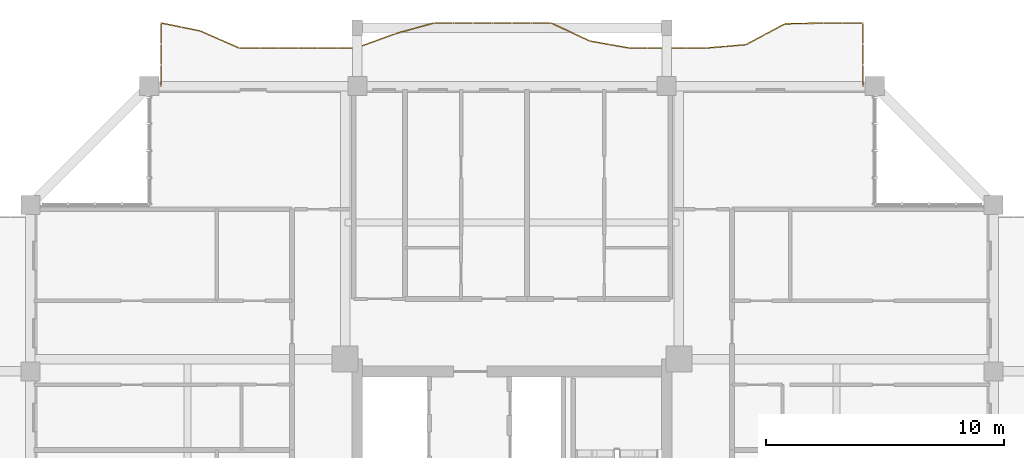
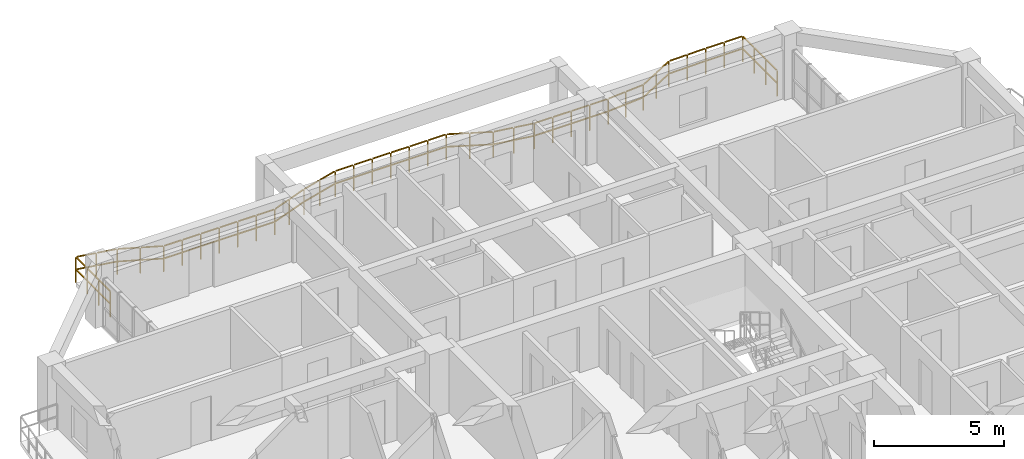
# One storey, part 22 of 22: 1 railing.
"""IFC4 building model written with IfcOpenShell, lengths in metres."""

from ifc_helpers import new_model, si_unit, direction, frame, origin, origin_2d, place, context, subcontext, project, spatial, rectangle, extrude, material, type_object, element, save


model = new_model("IFC4")

# Units and contexts
model_context = context("Model", 3, precision=1e-05, world=origin(), true_north=direction((0.0, 1.0)))
body_context = subcontext(model_context, "Body", "Model", "MODEL_VIEW")
ifc_project = project(units=[si_unit("LENGTHUNIT", "METRE"), si_unit("AREAUNIT", "SQUARE_METRE"), si_unit("VOLUMEUNIT", "CUBIC_METRE"), si_unit("PLANEANGLEUNIT", "RADIAN"), si_unit("MASSUNIT", "GRAM", prefix="KILO")], contexts=[model_context])

# Site, building, storey
site_placement = place(None, origin())
site = spatial("IfcSite", under=ifc_project, at=site_placement, CompositionType="ELEMENT")
building_placement = place(site_placement, origin())
building = spatial("IfcBuilding", under=site, at=building_placement, Name="Saelheon Loggia Tower", CompositionType="ELEMENT")
storey_placement = place(building_placement, frame((0.0, 0.0, 176.800048828125)))
storey = spatial("IfcBuildingStorey", under=building, at=storey_placement, Name="L55", CompositionType="ELEMENT", Elevation=176.800048828125)

# Railing
ifc_material = material(Name="Architectural Precast Concrete and Laminated Glass Guard", Category="concrete")
railing_type = type_object("IfcRailingType", Name="Guard_Loggia_RL_LOG", PredefinedType="BALUSTRADE", material=ifc_material)
railing_placement = place(storey_placement, frame((52.75, 48.0, 0.0)))
element("IfcRailing", 1, at=railing_placement, inside=storey, type_object=railing_type, Name="L55 North Loggia Balustrade", PredefinedType="BALUSTRADE", context=body_context, shape_type="SweptSolid", body=[
    extrude(rectangle(XDim=0.048095703125, YDim=0.048095703125, at=origin_2d()), frame((0.0, 0.033203125, 1.19580078125), z_axis=(0.0, 1.0, 0.0), x_axis=(-1.0, 0.0, 0.0)), (0.0, 0.0, 1.0), 0.81689453125),
    extrude(rectangle(XDim=0.048095703125, YDim=0.048095703125, at=origin_2d()), frame((0.0, 0.033203125, 0.60986328125), z_axis=(0.0, 1.0, 0.0), x_axis=(-1.0, 0.0, 0.0)), (0.0, 0.0, 1.0), 0.81689453125),
    extrude(rectangle(XDim=0.048095703125, YDim=0.048095703125, at=origin_2d()), frame((0.0, 0.91650390625, 1.19580078125), z_axis=(0.0, 1.0, 0.0), x_axis=(-1.0, 0.0, 0.0)), (0.0, 0.0, 1.0), 0.81689453125),
    extrude(rectangle(XDim=0.048095703125, YDim=0.048095703125, at=origin_2d()), frame((0.0, 0.91650390625, 0.60986328125), z_axis=(0.0, 1.0, 0.0), x_axis=(-1.0, 0.0, 0.0)), (0.0, 0.0, 1.0), 0.81689453125),
    extrude(rectangle(XDim=0.048095703125, YDim=0.048095703125, at=origin_2d()), frame((0.0, 1.7998046875, 1.19580078125), z_axis=(0.0, 1.0, 0.0), x_axis=(-1.0, 0.0, 0.0)), (0.0, 0.0, 1.0), 0.81689453125),
    extrude(rectangle(XDim=0.048095703125, YDim=0.048095703125, at=origin_2d()), frame((0.0, 1.7998046875, 0.60986328125), z_axis=(0.0, 1.0, 0.0), x_axis=(-1.0, 0.0, 0.0)), (0.0, 0.0, 1.0), 0.81689453125),
    extrude(rectangle(XDim=0.048095703125, YDim=0.048095703125, at=origin_2d()), frame((-0.033203125, 2.64990234375, 1.19580078125), z_axis=(-1.0, 0.0, 0.0), x_axis=(0.0, -1.0, 0.0)), (0.0, 0.0, 1.0), 0.7529296875),
    extrude(rectangle(XDim=0.048095703125, YDim=0.048095703125, at=origin_2d()), frame((-0.033203125, 2.64990234375, 0.60986328125), z_axis=(-1.0, 0.0, 0.0), x_axis=(0.0, -1.0, 0.0)), (0.0, 0.0, 1.0), 0.7529296875),
    extrude(rectangle(XDim=0.048095703125, YDim=0.048095703125, at=origin_2d()), frame((-0.852783203125, 2.64990234375, 1.19580078125), z_axis=(-1.0, 0.0, 0.0), x_axis=(0.0, -1.0, 0.0)), (0.0, 0.0, 1.0), 0.7529296875),
    extrude(rectangle(XDim=0.048095703125, YDim=0.048095703125, at=origin_2d()), frame((-0.852783203125, 2.64990234375, 0.60986328125), z_axis=(-1.0, 0.0, 0.0), x_axis=(0.0, -1.0, 0.0)), (0.0, 0.0, 1.0), 0.7529296875),
    extrude(rectangle(XDim=0.048095703125, YDim=0.048095703125, at=origin_2d()), frame((-1.672119140625, 2.649169921875, 1.19580078125), z_axis=(-0.99976680417, -0.021594843826, 0.0), x_axis=(0.021594843826, -0.99976680417, 0.0)), (0.0, 0.0, 1.0), 0.753173828125),
    extrude(rectangle(XDim=0.048095703125, YDim=0.048095703125, at=origin_2d()), frame((-1.672119140625, 2.649169921875, 0.60986328125), z_axis=(-0.99976680417, -0.021594843826, 0.0), x_axis=(0.021594843826, -0.99976680417, 0.0)), (0.0, 0.0, 1.0), 0.753173828125),
    extrude(rectangle(XDim=0.048095703125, YDim=0.048095703125, at=origin_2d()), frame((-2.49169921875, 2.631591796875, 1.19580078125), z_axis=(-0.99976680417, -0.021594843826, 0.0), x_axis=(0.021594843826, -0.99976680417, 0.0)), (0.0, 0.0, 1.0), 0.753173828125),
    extrude(rectangle(XDim=0.048095703125, YDim=0.048095703125, at=origin_2d()), frame((-2.49169921875, 2.631591796875, 0.60986328125), z_axis=(-0.99976680417, -0.021594843826, 0.0), x_axis=(0.021594843826, -0.99976680417, 0.0)), (0.0, 0.0, 1.0), 0.753173828125),
    extrude(rectangle(XDim=0.048095703125, YDim=0.048095703125, at=origin_2d()), frame((-3.30712890625, 2.598876953125, 1.19580078125), z_axis=(-0.882203745143, -0.470867871123, 0.0), x_axis=(0.470867871123, -0.882203745143, 0.0)), (0.0, 0.0, 1.0), 0.8623046875),
    extrude(rectangle(XDim=0.048095703125, YDim=0.048095703125, at=origin_2d()), frame((-3.30712890625, 2.598876953125, 0.60986328125), z_axis=(-0.882203745143, -0.470867871123, 0.0), x_axis=(0.470867871123, -0.882203745143, 0.0)), (0.0, 0.0, 1.0), 0.8623046875),
    extrude(rectangle(XDim=0.048095703125, YDim=0.048095703125, at=origin_2d()), frame((-4.126708984375, 2.161376953125, 1.19580078125), z_axis=(-0.882203745143, -0.470867871123, 0.0), x_axis=(0.470867871123, -0.882203745143, 0.0)), (0.0, 0.0, 1.0), 0.8623046875),
    extrude(rectangle(XDim=0.048095703125, YDim=0.048095703125, at=origin_2d()), frame((-4.126708984375, 2.161376953125, 0.60986328125), z_axis=(-0.882203745143, -0.470867871123, 0.0), x_axis=(0.470867871123, -0.882203745143, 0.0)), (0.0, 0.0, 1.0), 0.8623046875),
    extrude(rectangle(XDim=0.048095703125, YDim=0.048095703125, at=origin_2d()), frame((-4.949951171875, 1.73681640625, 1.19580078125), z_axis=(-0.996389463441, -0.084900159852, 0.0), x_axis=(0.084900159852, -0.996389463441, 0.0)), (0.0, 0.0, 1.0), 0.755859375),
    extrude(rectangle(XDim=0.048095703125, YDim=0.048095703125, at=origin_2d()), frame((-4.949951171875, 1.73681640625, 0.60986328125), z_axis=(-0.996389463441, -0.084900159852, 0.0), x_axis=(0.084900159852, -0.996389463441, 0.0)), (0.0, 0.0, 1.0), 0.755859375),
    extrude(rectangle(XDim=0.048095703125, YDim=0.048095703125, at=origin_2d()), frame((-5.769287109375, 1.6669921875, 1.19580078125), z_axis=(-0.996389463441, -0.084900159852, 0.0), x_axis=(0.084900159852, -0.996389463441, 0.0)), (0.0, 0.0, 1.0), 0.755859375),
    extrude(rectangle(XDim=0.048095703125, YDim=0.048095703125, at=origin_2d()), frame((-5.769287109375, 1.6669921875, 0.60986328125), z_axis=(-0.996389463441, -0.084900159852, 0.0), x_axis=(0.084900159852, -0.996389463441, 0.0)), (0.0, 0.0, 1.0), 0.755859375),
    extrude(rectangle(XDim=0.048095703125, YDim=0.048095703125, at=origin_2d()), frame((-6.5888671875, 1.60009765625, 1.19580078125), z_axis=(-1.0, 0.0, 0.0), x_axis=(0.0, -1.0, 0.0)), (0.0, 0.0, 1.0), 0.7529296875),
    extrude(rectangle(XDim=0.048095703125, YDim=0.048095703125, at=origin_2d()), frame((-6.5888671875, 1.60009765625, 0.60986328125), z_axis=(-1.0, 0.0, 0.0), x_axis=(0.0, -1.0, 0.0)), (0.0, 0.0, 1.0), 0.7529296875),
    extrude(rectangle(XDim=0.048095703125, YDim=0.048095703125, at=origin_2d()), frame((-7.408203125, 1.60009765625, 1.19580078125), z_axis=(-1.0, 0.0, 0.0), x_axis=(0.0, -1.0, 0.0)), (0.0, 0.0, 1.0), 0.7529296875),
    extrude(rectangle(XDim=0.048095703125, YDim=0.048095703125, at=origin_2d()), frame((-7.408203125, 1.60009765625, 0.60986328125), z_axis=(-1.0, 0.0, 0.0), x_axis=(0.0, -1.0, 0.0)), (0.0, 0.0, 1.0), 0.7529296875),
    extrude(rectangle(XDim=0.048095703125, YDim=0.048095703125, at=origin_2d()), frame((-8.2275390625, 1.60009765625, 1.19580078125), z_axis=(-1.0, 0.0, 0.0), x_axis=(0.0, -1.0, 0.0)), (0.0, 0.0, 1.0), 0.7529296875),
    extrude(rectangle(XDim=0.048095703125, YDim=0.048095703125, at=origin_2d()), frame((-8.2275390625, 1.60009765625, 0.60986328125), z_axis=(-1.0, 0.0, 0.0), x_axis=(0.0, -1.0, 0.0)), (0.0, 0.0, 1.0), 0.7529296875),
    extrude(rectangle(XDim=0.048095703125, YDim=0.048095703125, at=origin_2d()), frame((-9.047119140625, 1.60009765625, 1.19580078125), z_axis=(-1.0, 0.0, 0.0), x_axis=(0.0, -1.0, 0.0)), (0.0, 0.0, 1.0), 0.7529296875),
    extrude(rectangle(XDim=0.048095703125, YDim=0.048095703125, at=origin_2d()), frame((-9.047119140625, 1.60009765625, 0.60986328125), z_axis=(-1.0, 0.0, 0.0), x_axis=(0.0, -1.0, 0.0)), (0.0, 0.0, 1.0), 0.7529296875),
    extrude(rectangle(XDim=0.048095703125, YDim=0.048095703125, at=origin_2d()), frame((-9.865966796875, 1.60595703125, 1.19580078125), z_axis=(-0.98452260556, 0.175257636473, 0.0), x_axis=(-0.175257636473, -0.98452260556, 0.0)), (0.0, 0.0, 1.0), 0.765869140625),
    extrude(rectangle(XDim=0.048095703125, YDim=0.048095703125, at=origin_2d()), frame((-9.865966796875, 1.60595703125, 0.60986328125), z_axis=(-0.98452260556, 0.175257636473, 0.0), x_axis=(-0.175257636473, -0.98452260556, 0.0)), (0.0, 0.0, 1.0), 0.765869140625),
    extrude(rectangle(XDim=0.048095703125, YDim=0.048095703125, at=origin_2d()), frame((-10.685546875, 1.751708984375, 1.19580078125), z_axis=(-0.98452260556, 0.175257636473, 0.0), x_axis=(-0.175257636473, -0.98452260556, 0.0)), (0.0, 0.0, 1.0), 0.765869140625),
    extrude(rectangle(XDim=0.048095703125, YDim=0.048095703125, at=origin_2d()), frame((-10.685546875, 1.751708984375, 0.60986328125), z_axis=(-0.98452260556, 0.175257636473, 0.0), x_axis=(-0.175257636473, -0.98452260556, 0.0)), (0.0, 0.0, 1.0), 0.765869140625),
    extrude(rectangle(XDim=0.048095703125, YDim=0.048095703125, at=origin_2d()), frame((-11.50244140625, 1.90576171875, 1.19580078125), z_axis=(-0.907614806206, 0.419803958479, 0.0), x_axis=(-0.419803958479, -0.907614806206, 0.0)), (0.0, 0.0, 1.0), 0.83642578125),
    extrude(rectangle(XDim=0.048095703125, YDim=0.048095703125, at=origin_2d()), frame((-11.50244140625, 1.90576171875, 0.60986328125), z_axis=(-0.907614806206, 0.419803958479, 0.0), x_axis=(-0.419803958479, -0.907614806206, 0.0)), (0.0, 0.0, 1.0), 0.83642578125),
    extrude(rectangle(XDim=0.048095703125, YDim=0.048095703125, at=origin_2d()), frame((-12.32177734375, 2.284912109375, 1.19580078125), z_axis=(-0.907614806206, 0.419803958479, 0.0), x_axis=(-0.419803958479, -0.907614806206, 0.0)), (0.0, 0.0, 1.0), 0.83642578125),
    extrude(rectangle(XDim=0.048095703125, YDim=0.048095703125, at=origin_2d()), frame((-12.32177734375, 2.284912109375, 0.60986328125), z_axis=(-0.907614806206, 0.419803958479, 0.0), x_axis=(-0.419803958479, -0.907614806206, 0.0)), (0.0, 0.0, 1.0), 0.83642578125),
    extrude(rectangle(XDim=0.048095703125, YDim=0.048095703125, at=origin_2d()), frame((-13.144287109375, 2.64990234375, 1.19580078125), z_axis=(-1.0, 0.0, 0.0), x_axis=(0.0, -1.0, 0.0)), (0.0, 0.0, 1.0), 0.7529296875),
    extrude(rectangle(XDim=0.048095703125, YDim=0.048095703125, at=origin_2d()), frame((-13.144287109375, 2.64990234375, 0.60986328125), z_axis=(-1.0, 0.0, 0.0), x_axis=(0.0, -1.0, 0.0)), (0.0, 0.0, 1.0), 0.7529296875),
    extrude(rectangle(XDim=0.048095703125, YDim=0.048095703125, at=origin_2d()), frame((-13.9638671875, 2.64990234375, 1.19580078125), z_axis=(-1.0, 0.0, 0.0), x_axis=(0.0, -1.0, 0.0)), (0.0, 0.0, 1.0), 0.7529296875),
    extrude(rectangle(XDim=0.048095703125, YDim=0.048095703125, at=origin_2d()), frame((-13.9638671875, 2.64990234375, 0.60986328125), z_axis=(-1.0, 0.0, 0.0), x_axis=(0.0, -1.0, 0.0)), (0.0, 0.0, 1.0), 0.7529296875),
    extrude(rectangle(XDim=0.048095703125, YDim=0.048095703125, at=origin_2d()), frame((-14.783203125, 2.64990234375, 1.19580078125), z_axis=(-1.0, 0.0, 0.0), x_axis=(0.0, -1.0, 0.0)), (0.0, 0.0, 1.0), 0.7529296875),
    extrude(rectangle(XDim=0.048095703125, YDim=0.048095703125, at=origin_2d()), frame((-14.783203125, 2.64990234375, 0.60986328125), z_axis=(-1.0, 0.0, 0.0), x_axis=(0.0, -1.0, 0.0)), (0.0, 0.0, 1.0), 0.7529296875),
    extrude(rectangle(XDim=0.048095703125, YDim=0.048095703125, at=origin_2d()), frame((-15.602783203125, 2.64990234375, 1.19580078125), z_axis=(-1.0, 0.0, 0.0), x_axis=(0.0, -1.0, 0.0)), (0.0, 0.0, 1.0), 0.7529296875),
    extrude(rectangle(XDim=0.048095703125, YDim=0.048095703125, at=origin_2d()), frame((-15.602783203125, 2.64990234375, 0.60986328125), z_axis=(-1.0, 0.0, 0.0), x_axis=(0.0, -1.0, 0.0)), (0.0, 0.0, 1.0), 0.7529296875),
    extrude(rectangle(XDim=0.048095703125, YDim=0.048095703125, at=origin_2d()), frame((-16.422119140625, 2.64990234375, 1.19580078125), z_axis=(-1.0, 0.0, 0.0), x_axis=(0.0, -1.0, 0.0)), (0.0, 0.0, 1.0), 0.7529296875),
    extrude(rectangle(XDim=0.048095703125, YDim=0.048095703125, at=origin_2d()), frame((-16.422119140625, 2.64990234375, 0.60986328125), z_axis=(-1.0, 0.0, 0.0), x_axis=(0.0, -1.0, 0.0)), (0.0, 0.0, 1.0), 0.7529296875),
    extrude(rectangle(XDim=0.048095703125, YDim=0.048095703125, at=origin_2d()), frame((-17.24169921875, 2.64990234375, 1.19580078125), z_axis=(-1.0, 0.0, 0.0), x_axis=(0.0, -1.0, 0.0)), (0.0, 0.0, 1.0), 0.7529296875),
    extrude(rectangle(XDim=0.048095703125, YDim=0.048095703125, at=origin_2d()), frame((-17.24169921875, 2.64990234375, 0.60986328125), z_axis=(-1.0, 0.0, 0.0), x_axis=(0.0, -1.0, 0.0)), (0.0, 0.0, 1.0), 0.7529296875),
    extrude(rectangle(XDim=0.048095703125, YDim=0.048095703125, at=origin_2d()), frame((-18.059814453125, 2.64111328125, 1.19580078125), z_axis=(-0.963618610857, -0.267281074544, 0.0), x_axis=(0.267281074544, -0.963618610857, 0.0)), (0.0, 0.0, 1.0), 0.783935546875),
    extrude(rectangle(XDim=0.048095703125, YDim=0.048095703125, at=origin_2d()), frame((-18.059814453125, 2.64111328125, 0.60986328125), z_axis=(-0.963618610857, -0.267281074544, 0.0), x_axis=(0.267281074544, -0.963618610857, 0.0)), (0.0, 0.0, 1.0), 0.783935546875),
    extrude(rectangle(XDim=0.048095703125, YDim=0.048095703125, at=origin_2d()), frame((-18.87939453125, 2.413818359375, 1.19580078125), z_axis=(-0.963618610857, -0.267281074544, 0.0), x_axis=(0.267281074544, -0.963618610857, 0.0)), (0.0, 0.0, 1.0), 0.783935546875),
    extrude(rectangle(XDim=0.048095703125, YDim=0.048095703125, at=origin_2d()), frame((-18.87939453125, 2.413818359375, 0.60986328125), z_axis=(-0.963618610857, -0.267281074544, 0.0), x_axis=(0.267281074544, -0.963618610857, 0.0)), (0.0, 0.0, 1.0), 0.783935546875),
    extrude(rectangle(XDim=0.048095703125, YDim=0.048095703125, at=origin_2d()), frame((-19.697998046875, 2.18408203125, 1.19580078125), z_axis=(-0.939932340471, -0.341360799355, 0.0), x_axis=(0.341360799355, -0.939932340471, 0.0)), (0.0, 0.0, 1.0), 0.805419921875),
    extrude(rectangle(XDim=0.048095703125, YDim=0.048095703125, at=origin_2d()), frame((-19.697998046875, 2.18408203125, 0.60986328125), z_axis=(-0.939932340471, -0.341360799355, 0.0), x_axis=(0.341360799355, -0.939932340471, 0.0)), (0.0, 0.0, 1.0), 0.805419921875),
    extrude(rectangle(XDim=0.048095703125, YDim=0.048095703125, at=origin_2d()), frame((-20.517333984375, 1.886474609375, 1.19580078125), z_axis=(-0.939932340471, -0.341360799355, 0.0), x_axis=(0.341360799355, -0.939932340471, 0.0)), (0.0, 0.0, 1.0), 0.805419921875),
    extrude(rectangle(XDim=0.048095703125, YDim=0.048095703125, at=origin_2d()), frame((-20.517333984375, 1.886474609375, 0.60986328125), z_axis=(-0.939932340471, -0.341360799355, 0.0), x_axis=(0.341360799355, -0.939932340471, 0.0)), (0.0, 0.0, 1.0), 0.805419921875),
    extrude(rectangle(XDim=0.048095703125, YDim=0.048095703125, at=origin_2d()), frame((-21.3388671875, 1.60009765625, 1.19580078125), z_axis=(-1.0, 0.0, 0.0), x_axis=(0.0, -1.0, 0.0)), (0.0, 0.0, 1.0), 0.7529296875),
    extrude(rectangle(XDim=0.048095703125, YDim=0.048095703125, at=origin_2d()), frame((-21.3388671875, 1.60009765625, 0.60986328125), z_axis=(-1.0, 0.0, 0.0), x_axis=(0.0, -1.0, 0.0)), (0.0, 0.0, 1.0), 0.7529296875),
    extrude(rectangle(XDim=0.048095703125, YDim=0.048095703125, at=origin_2d()), frame((-22.158203125, 1.60009765625, 1.19580078125), z_axis=(-1.0, 0.0, 0.0), x_axis=(0.0, -1.0, 0.0)), (0.0, 0.0, 1.0), 0.7529296875),
    extrude(rectangle(XDim=0.048095703125, YDim=0.048095703125, at=origin_2d()), frame((-22.158203125, 1.60009765625, 0.60986328125), z_axis=(-1.0, 0.0, 0.0), x_axis=(0.0, -1.0, 0.0)), (0.0, 0.0, 1.0), 0.7529296875),
    extrude(rectangle(XDim=0.048095703125, YDim=0.048095703125, at=origin_2d()), frame((-22.9775390625, 1.60009765625, 1.19580078125), z_axis=(-1.0, 0.0, 0.0), x_axis=(0.0, -1.0, 0.0)), (0.0, 0.0, 1.0), 0.7529296875),
    extrude(rectangle(XDim=0.048095703125, YDim=0.048095703125, at=origin_2d()), frame((-22.9775390625, 1.60009765625, 0.60986328125), z_axis=(-1.0, 0.0, 0.0), x_axis=(0.0, -1.0, 0.0)), (0.0, 0.0, 1.0), 0.7529296875),
    extrude(rectangle(XDim=0.048095703125, YDim=0.048095703125, at=origin_2d()), frame((-23.797119140625, 1.60009765625, 1.19580078125), z_axis=(-1.0, 0.0, 0.0), x_axis=(0.0, -1.0, 0.0)), (0.0, 0.0, 1.0), 0.7529296875),
    extrude(rectangle(XDim=0.048095703125, YDim=0.048095703125, at=origin_2d()), frame((-23.797119140625, 1.60009765625, 0.60986328125), z_axis=(-1.0, 0.0, 0.0), x_axis=(0.0, -1.0, 0.0)), (0.0, 0.0, 1.0), 0.7529296875),
    extrude(rectangle(XDim=0.048095703125, YDim=0.048095703125, at=origin_2d()), frame((-24.616455078125, 1.60009765625, 1.19580078125), z_axis=(-1.0, 0.0, 0.0), x_axis=(0.0, -1.0, 0.0)), (0.0, 0.0, 1.0), 0.7529296875),
    extrude(rectangle(XDim=0.048095703125, YDim=0.048095703125, at=origin_2d()), frame((-24.616455078125, 1.60009765625, 0.60986328125), z_axis=(-1.0, 0.0, 0.0), x_axis=(0.0, -1.0, 0.0)), (0.0, 0.0, 1.0), 0.7529296875),
    extrude(rectangle(XDim=0.048095703125, YDim=0.048095703125, at=origin_2d()), frame((-25.43603515625, 1.60009765625, 1.19580078125), z_axis=(-1.0, 0.0, 0.0), x_axis=(0.0, -1.0, 0.0)), (0.0, 0.0, 1.0), 0.7529296875),
    extrude(rectangle(XDim=0.048095703125, YDim=0.048095703125, at=origin_2d()), frame((-25.43603515625, 1.60009765625, 0.60986328125), z_axis=(-1.0, 0.0, 0.0), x_axis=(0.0, -1.0, 0.0)), (0.0, 0.0, 1.0), 0.7529296875),
    extrude(rectangle(XDim=0.048095703125, YDim=0.048095703125, at=origin_2d()), frame((-26.252685546875, 1.613525390625, 1.19580078125), z_axis=(-0.915853347794, 0.401512945413, 0.0), x_axis=(-0.401512945413, -0.915853347794, 0.0)), (0.0, 0.0, 1.0), 0.828369140625),
    extrude(rectangle(XDim=0.048095703125, YDim=0.048095703125, at=origin_2d()), frame((-26.252685546875, 1.613525390625, 0.60986328125), z_axis=(-0.915853347794, 0.401512945413, 0.0), x_axis=(-0.401512945413, -0.915853347794, 0.0)), (0.0, 0.0, 1.0), 0.828369140625),
    extrude(rectangle(XDim=0.048095703125, YDim=0.048095703125, at=origin_2d()), frame((-27.072021484375, 1.97265625, 1.19580078125), z_axis=(-0.915853347794, 0.401512945413, 0.0), x_axis=(-0.401512945413, -0.915853347794, 0.0)), (0.0, 0.0, 1.0), 0.828369140625),
    extrude(rectangle(XDim=0.048095703125, YDim=0.048095703125, at=origin_2d()), frame((-27.072021484375, 1.97265625, 0.60986328125), z_axis=(-0.915853347794, 0.401512945413, 0.0), x_axis=(-0.401512945413, -0.915853347794, 0.0)), (0.0, 0.0, 1.0), 0.828369140625),
    extrude(rectangle(XDim=0.048095703125, YDim=0.048095703125, at=origin_2d()), frame((-27.8935546875, 2.3251953125, 1.19580078125), z_axis=(-0.980174252442, 0.198137414057, 0.0), x_axis=(-0.198137414057, -0.980174252442, 0.0)), (0.0, 0.0, 1.0), 0.76953125),
    extrude(rectangle(XDim=0.048095703125, YDim=0.048095703125, at=origin_2d()), frame((-27.8935546875, 2.3251953125, 0.60986328125), z_axis=(-0.980174252442, 0.198137414057, 0.0), x_axis=(-0.198137414057, -0.980174252442, 0.0)), (0.0, 0.0, 1.0), 0.76953125),
    extrude(rectangle(XDim=0.048095703125, YDim=0.048095703125, at=origin_2d()), frame((-28.713134765625, 2.49072265625, 1.19580078125), z_axis=(-0.980174252442, 0.198137414057, 0.0), x_axis=(-0.198137414057, -0.980174252442, 0.0)), (0.0, 0.0, 1.0), 0.76953125),
    extrude(rectangle(XDim=0.048095703125, YDim=0.048095703125, at=origin_2d()), frame((-28.713134765625, 2.49072265625, 0.60986328125), z_axis=(-0.980174252442, 0.198137414057, 0.0), x_axis=(-0.198137414057, -0.980174252442, 0.0)), (0.0, 0.0, 1.0), 0.76953125),
    extrude(rectangle(XDim=0.048095703125, YDim=0.048095703125, at=origin_2d()), frame((-29.5, 2.61669921875, 1.19580078125), z_axis=(0.0, -1.0, 0.0), x_axis=(1.0, 0.0, 0.0)), (0.0, 0.0, 1.0), 0.81689453125),
    extrude(rectangle(XDim=0.048095703125, YDim=0.048095703125, at=origin_2d()), frame((-29.5, 2.61669921875, 0.60986328125), z_axis=(0.0, -1.0, 0.0), x_axis=(1.0, 0.0, 0.0)), (0.0, 0.0, 1.0), 0.81689453125),
    extrude(rectangle(XDim=0.048095703125, YDim=0.048095703125, at=origin_2d()), frame((-29.5, 1.7333984375, 1.19580078125), z_axis=(0.0, -1.0, 0.0), x_axis=(1.0, 0.0, 0.0)), (0.0, 0.0, 1.0), 0.81689453125),
    extrude(rectangle(XDim=0.048095703125, YDim=0.048095703125, at=origin_2d()), frame((-29.5, 1.7333984375, 0.60986328125), z_axis=(0.0, -1.0, 0.0), x_axis=(1.0, 0.0, 0.0)), (0.0, 0.0, 1.0), 0.81689453125),
    extrude(rectangle(XDim=0.048095703125, YDim=0.048095703125, at=origin_2d()), frame((-29.5, 0.85009765625, 1.19580078125), z_axis=(0.0, -1.0, 0.0), x_axis=(1.0, 0.0, 0.0)), (0.0, 0.0, 1.0), 0.81689453125),
    extrude(rectangle(XDim=0.048095703125, YDim=0.048095703125, at=origin_2d()), frame((-29.5, 0.85009765625, 0.60986328125), z_axis=(0.0, -1.0, 0.0), x_axis=(1.0, 0.0, 0.0)), (0.0, 0.0, 1.0), 0.81689453125),
    extrude(rectangle(XDim=0.0419921875, YDim=0.0419921875, at=origin_2d()), origin(), (0.0, 0.0, 1.0), 1.16796875),
    extrude(rectangle(XDim=0.0419921875, YDim=0.0419921875, at=origin_2d()), frame((0.0, 0.88330078125, 0.0)), (0.0, 0.0, 1.0), 1.16796875),
    extrude(rectangle(XDim=0.0419921875, YDim=0.0419921875, at=origin_2d()), frame((0.0, 1.7666015625, 0.0)), (0.0, 0.0, 1.0), 1.16796875),
    extrude(rectangle(XDim=0.0419921875, YDim=0.0419921875, at=origin_2d()), frame((0.0, 2.64990234375, 0.0)), (0.0, 0.0, 1.0), 1.16796875),
    extrude(rectangle(XDim=0.0419921875, YDim=0.0419921875, at=origin_2d()), frame((-0.8193359375, 2.64990234375, 0.0)), (0.0, 0.0, 1.0), 1.16796875),
    extrude(rectangle(XDim=0.0419921875, YDim=0.0419921875, at=origin_2d()), frame((-1.638916015625, 2.64990234375, 0.0)), (0.0, 0.0, 1.0), 1.16796875),
    extrude(rectangle(XDim=0.0419921875, YDim=0.0419921875, at=origin_2d()), frame((-2.45849609375, 2.63232421875, 0.0)), (0.0, 0.0, 1.0), 1.16796875),
    extrude(rectangle(XDim=0.0419921875, YDim=0.0419921875, at=origin_2d()), frame((-3.27783203125, 2.614501953125, 0.0)), (0.0, 0.0, 1.0), 1.16796875),
    extrude(rectangle(XDim=0.0419921875, YDim=0.0419921875, at=origin_2d()), frame((-4.09716796875, 2.17724609375, 0.0)), (0.0, 0.0, 1.0), 1.16796875),
    extrude(rectangle(XDim=0.0419921875, YDim=0.0419921875, at=origin_2d()), frame((-4.916748046875, 1.73974609375, 0.0)), (0.0, 0.0, 1.0), 1.16796875),
    extrude(rectangle(XDim=0.0419921875, YDim=0.0419921875, at=origin_2d()), frame((-5.736328125, 1.669921875, 0.0)), (0.0, 0.0, 1.0), 1.16796875),
    extrude(rectangle(XDim=0.0419921875, YDim=0.0419921875, at=origin_2d()), frame((-6.5556640625, 1.60009765625, 0.0)), (0.0, 0.0, 1.0), 1.16796875),
    extrude(rectangle(XDim=0.0419921875, YDim=0.0419921875, at=origin_2d()), frame((-7.375, 1.60009765625, 0.0)), (0.0, 0.0, 1.0), 1.16796875),
    extrude(rectangle(XDim=0.0419921875, YDim=0.0419921875, at=origin_2d()), frame((-8.1943359375, 1.60009765625, 0.0)), (0.0, 0.0, 1.0), 1.16796875),
    extrude(rectangle(XDim=0.0419921875, YDim=0.0419921875, at=origin_2d()), frame((-9.013671875, 1.60009765625, 0.0)), (0.0, 0.0, 1.0), 1.16796875),
    extrude(rectangle(XDim=0.0419921875, YDim=0.0419921875, at=origin_2d()), frame((-9.833251953125, 1.60009765625, 0.0)), (0.0, 0.0, 1.0), 1.16796875),
    extrude(rectangle(XDim=0.0419921875, YDim=0.0419921875, at=origin_2d()), frame((-10.65283203125, 1.74609375, 0.0)), (0.0, 0.0, 1.0), 1.16796875),
    extrude(rectangle(XDim=0.0419921875, YDim=0.0419921875, at=origin_2d()), frame((-11.47216796875, 1.891845703125, 0.0)), (0.0, 0.0, 1.0), 1.16796875),
    extrude(rectangle(XDim=0.0419921875, YDim=0.0419921875, at=origin_2d()), frame((-12.29150390625, 2.27099609375, 0.0)), (0.0, 0.0, 1.0), 1.16796875),
    extrude(rectangle(XDim=0.0419921875, YDim=0.0419921875, at=origin_2d()), frame((-13.111083984375, 2.64990234375, 0.0)), (0.0, 0.0, 1.0), 1.16796875),
    extrude(rectangle(XDim=0.0419921875, YDim=0.0419921875, at=origin_2d()), frame((-13.9306640625, 2.64990234375, 0.0)), (0.0, 0.0, 1.0), 1.16796875),
    extrude(rectangle(XDim=0.0419921875, YDim=0.0419921875, at=origin_2d()), frame((-14.75, 2.64990234375, 0.0)), (0.0, 0.0, 1.0), 1.16796875),
    extrude(rectangle(XDim=0.0419921875, YDim=0.0419921875, at=origin_2d()), frame((-15.5693359375, 2.64990234375, 0.0)), (0.0, 0.0, 1.0), 1.16796875),
    extrude(rectangle(XDim=0.0419921875, YDim=0.0419921875, at=origin_2d()), frame((-16.388916015625, 2.64990234375, 0.0)), (0.0, 0.0, 1.0), 1.16796875),
    extrude(rectangle(XDim=0.0419921875, YDim=0.0419921875, at=origin_2d()), frame((-17.20849609375, 2.64990234375, 0.0)), (0.0, 0.0, 1.0), 1.16796875),
    extrude(rectangle(XDim=0.0419921875, YDim=0.0419921875, at=origin_2d()), frame((-18.02783203125, 2.64990234375, 0.0)), (0.0, 0.0, 1.0), 1.16796875),
    extrude(rectangle(XDim=0.0419921875, YDim=0.0419921875, at=origin_2d()), frame((-18.84716796875, 2.422607421875, 0.0)), (0.0, 0.0, 1.0), 1.16796875),
    extrude(rectangle(XDim=0.0419921875, YDim=0.0419921875, at=origin_2d()), frame((-19.666748046875, 2.1953125, 0.0)), (0.0, 0.0, 1.0), 1.16796875),
    extrude(rectangle(XDim=0.0419921875, YDim=0.0419921875, at=origin_2d()), frame((-20.486328125, 1.897705078125, 0.0)), (0.0, 0.0, 1.0), 1.16796875),
    extrude(rectangle(XDim=0.0419921875, YDim=0.0419921875, at=origin_2d()), frame((-21.3056640625, 1.60009765625, 0.0)), (0.0, 0.0, 1.0), 1.16796875),
    extrude(rectangle(XDim=0.0419921875, YDim=0.0419921875, at=origin_2d()), frame((-22.125, 1.60009765625, 0.0)), (0.0, 0.0, 1.0), 1.16796875),
    extrude(rectangle(XDim=0.0419921875, YDim=0.0419921875, at=origin_2d()), frame((-22.9443359375, 1.60009765625, 0.0)), (0.0, 0.0, 1.0), 1.16796875),
    extrude(rectangle(XDim=0.0419921875, YDim=0.0419921875, at=origin_2d()), frame((-23.763671875, 1.60009765625, 0.0)), (0.0, 0.0, 1.0), 1.16796875),
    extrude(rectangle(XDim=0.0419921875, YDim=0.0419921875, at=origin_2d()), frame((-24.583251953125, 1.60009765625, 0.0)), (0.0, 0.0, 1.0), 1.16796875),
    extrude(rectangle(XDim=0.0419921875, YDim=0.0419921875, at=origin_2d()), frame((-25.40283203125, 1.60009765625, 0.0)), (0.0, 0.0, 1.0), 1.16796875),
    extrude(rectangle(XDim=0.0419921875, YDim=0.0419921875, at=origin_2d()), frame((-26.22216796875, 1.60009765625, 0.0)), (0.0, 0.0, 1.0), 1.16796875),
    extrude(rectangle(XDim=0.0419921875, YDim=0.0419921875, at=origin_2d()), frame((-27.04150390625, 1.95947265625, 0.0)), (0.0, 0.0, 1.0), 1.16796875),
    extrude(rectangle(XDim=0.0419921875, YDim=0.0419921875, at=origin_2d()), frame((-27.861083984375, 2.318603515625, 0.0)), (0.0, 0.0, 1.0), 1.16796875),
    extrude(rectangle(XDim=0.0419921875, YDim=0.0419921875, at=origin_2d()), frame((-28.6806640625, 2.484375, 0.0)), (0.0, 0.0, 1.0), 1.16796875),
    extrude(rectangle(XDim=0.0419921875, YDim=0.0419921875, at=origin_2d()), frame((-29.5, 2.64990234375, 0.0)), (0.0, 0.0, 1.0), 1.16796875),
    extrude(rectangle(XDim=0.0419921875, YDim=0.0419921875, at=origin_2d()), frame((-29.5, 1.7666015625, 0.0)), (0.0, 0.0, 1.0), 1.16796875),
    extrude(rectangle(XDim=0.0419921875, YDim=0.0419921875, at=origin_2d()), frame((-29.5, 0.88330078125, 0.0)), (0.0, 0.0, 1.0), 1.16796875),
    extrude(rectangle(XDim=0.0419921875, YDim=0.0419921875, at=origin_2d()), frame((-29.5, 0.0, 0.0)), (0.0, 0.0, 1.0), 1.16796875),
])

save(model, "model.ifc")
